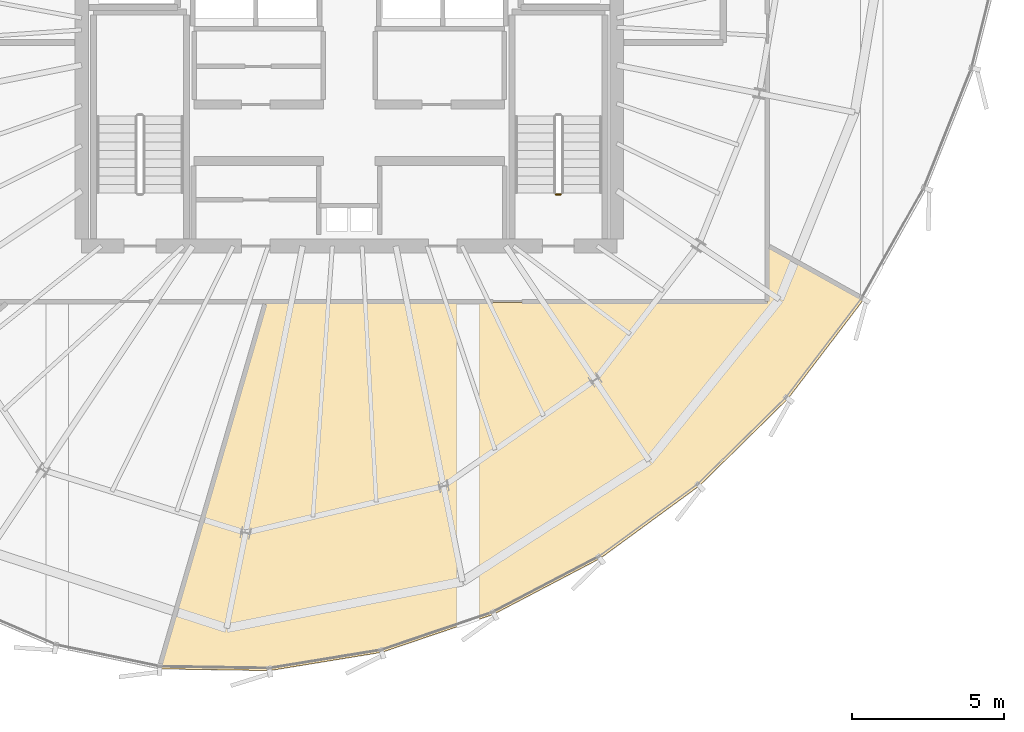
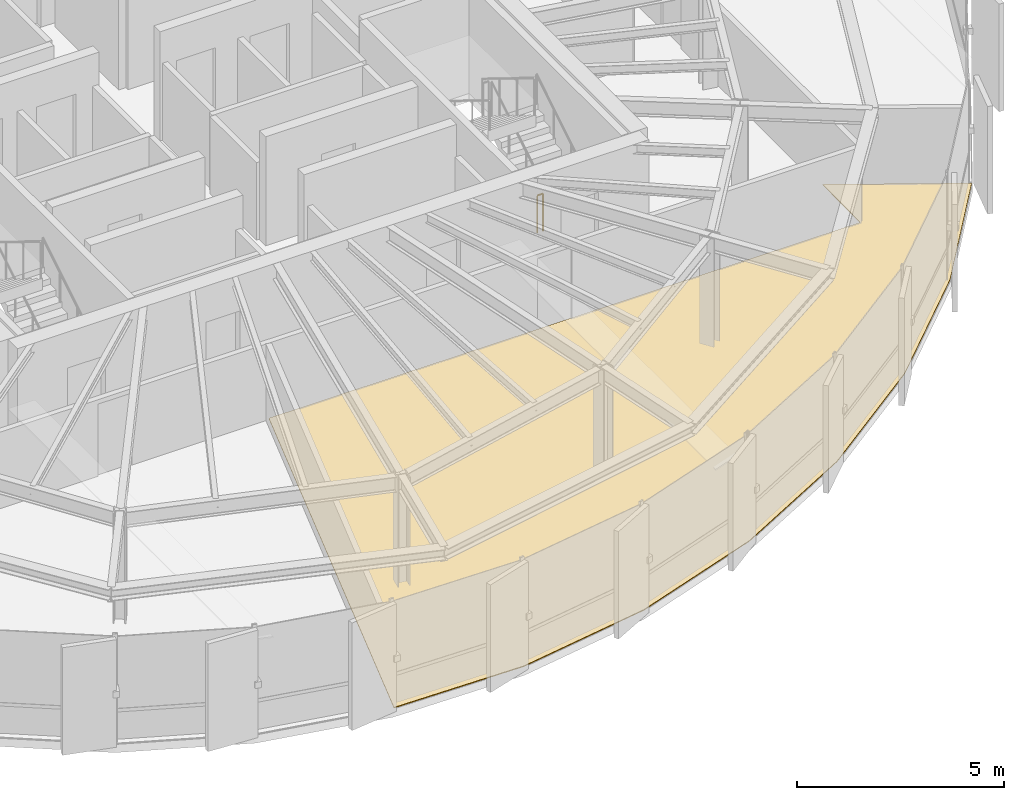
# One storey, part 31 of 34: 1 covering, 1 railing.
"""IFC4 building model written with IfcOpenShell, lengths in metres."""

from ifc_helpers import new_model, si_unit, direction, frame, origin, origin_2d, place, context, subcontext, project, spatial, polyline, circle, outline, extrude, material, layer, layer_set, type_object, element, save


model = new_model("IFC4")

# Units and contexts
model_context = context("Model", 3, precision=1e-05, world=origin(), true_north=direction((0.0, 1.0)))
body_context = subcontext(model_context, "Body", "Model", "MODEL_VIEW")
ifc_project = project(units=[si_unit("LENGTHUNIT", "METRE"), si_unit("AREAUNIT", "SQUARE_METRE"), si_unit("VOLUMEUNIT", "CUBIC_METRE"), si_unit("PLANEANGLEUNIT", "RADIAN"), si_unit("MASSUNIT", "GRAM", prefix="KILO"), si_unit("THERMODYNAMICTEMPERATUREUNIT", "KELVIN")], contexts=[model_context])

# Site, building, storey
site_placement = place(None, origin())
site = spatial("IfcSite", under=ifc_project, at=site_placement, CompositionType="ELEMENT")
building_placement = place(site_placement, origin())
building = spatial("IfcBuilding", under=site, at=building_placement, Name="Kethvar Cultural Tower", CompositionType="ELEMENT")
storey_placement = place(building_placement, frame((0.0, 0.0, 231.85009765625)))
storey = spatial("IfcBuildingStorey", under=building, at=storey_placement, Name="L60", CompositionType="ELEMENT", Elevation=231.85009765625)

# Covering
ifc_material_1 = material(Name="Architectural Oak Timber", Category="wood")
ifc_layer = layer(ifc_material_1, 0.02490234375, Name="Architectural Oak Timber", Category="wood")
ifc_layer_set = layer_set([ifc_layer], Name="Architectural Oak Timber (25 mm)")
covering_type = type_object("IfcCoveringType", Name="CV-OAK-FLOOR", PredefinedType="FLOORING", material=ifc_layer_set)
covering_placement = place(storey_placement, origin())
element("IfcCovering", 1, at=covering_placement, inside=storey, type_object=covering_type, Name="L60 Room 02 Floor Finish", PredefinedType="FLOORING", context=body_context, shape_type="SweptSolid", body=[
    extrude(outline(polyline([(61.227294921875, 15.080810546875), (58.312744140625, 12.217041015625), (55.048583984375, 9.826904296875), (51.53369140625, 7.98291015625), (47.875, 6.74169921875), (44.183837890625, 6.139892578125), (40.5966796875, 6.1962890625), (44.069091796875, 18.2490234375), (60.552001953125, 18.2490234375), (60.570068359375, 20.08935546875), (63.7099609375, 18.33642578125), (61.227294921875, 15.080810546875)])), origin(), (0.0, 0.0, 1.0), 0.02490234375),
])

# Railing
ifc_material_2 = material(Name="Steel S355J2", Category="steel")
railing_type = type_object("IfcRailingType", Name="RL-STAIR-GUARD", PredefinedType="BALUSTRADE", material=ifc_material_2)
railing_placement = place(storey_placement, frame((53.760009765625, 21.800048828125, 0.0)))
element("IfcRailing", 2, at=railing_placement, inside=storey, type_object=railing_type, Name="L60 ST-02 stair guard 4", PredefinedType="BALUSTRADE", context=body_context, shape_type="SweptSolid", body=[
    extrude(circle(Radius=0.02392578125, at=origin_2d()), frame((0.0, 0.0, 1.09619140625), z_axis=(-1.0, 0.0, 0.0), x_axis=(0.0, -1.0, 0.0)), (0.0, 0.0, 1.0), 0.159912109375),
    extrude(circle(Radius=0.02099609375, at=origin_2d()), origin(), (0.0, 0.0, 1.0), 1.072021484375),
    extrude(circle(Radius=0.02099609375, at=origin_2d()), frame((-0.159912109375, 0.0, 0.0)), (0.0, 0.0, 1.0), 1.072021484375),
])

save(model, "model.ifc")
